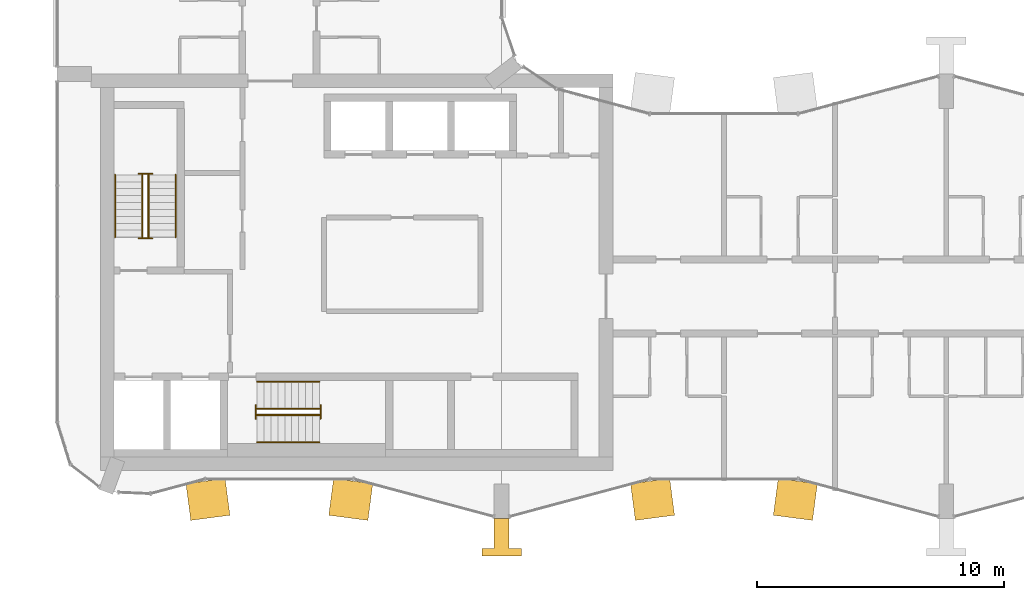
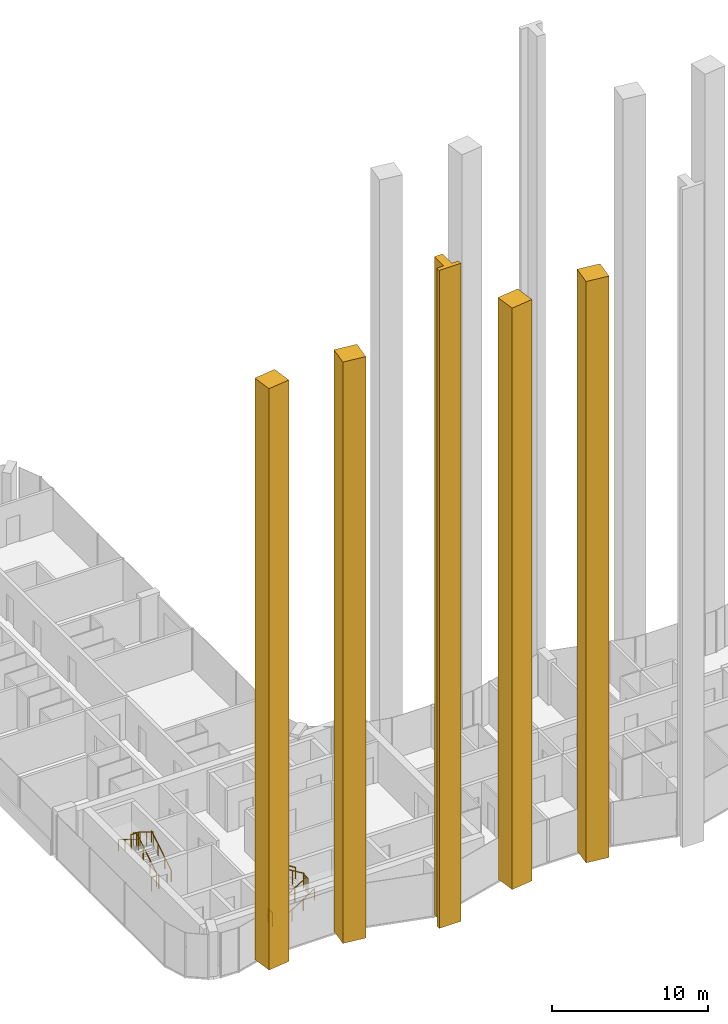
# One storey, part 14 of 17: 12 railings, 5 coverings.
"""IFC4 building model written with IfcOpenShell, lengths in metres."""

from ifc_helpers import new_model, si_unit, direction, frame, origin, origin_2d, place, context, subcontext, project, spatial, polyline, circle, outline, extrude, material, type_object, element, save


model = new_model("IFC4")

# Units and contexts
model_context = context("Model", 3, precision=1e-05, world=origin(), true_north=direction((0.0, 1.0)))
body_context = subcontext(model_context, "Body", "Model", "MODEL_VIEW")
ifc_project = project(units=[si_unit("LENGTHUNIT", "METRE"), si_unit("AREAUNIT", "SQUARE_METRE"), si_unit("VOLUMEUNIT", "CUBIC_METRE"), si_unit("PLANEANGLEUNIT", "RADIAN"), si_unit("MASSUNIT", "GRAM", prefix="KILO")], contexts=[model_context])

# Site, building, storey
site_placement = place(None, origin())
site = spatial("IfcSite", under=ifc_project, at=site_placement, CompositionType="ELEMENT")
building_placement = place(site_placement, origin())
building = spatial("IfcBuilding", under=site, at=building_placement, Name="Plateau Cross Towers", CompositionType="ELEMENT")
storey_placement = place(building_placement, frame((0.0, 0.0, 190.89990234375)))
storey = spatial("IfcBuildingStorey", under=building, at=storey_placement, Name="L49", CompositionType="ELEMENT", Elevation=190.89990234375)

# Coverings
ifc_material_1 = material(Name="Light precast concrete cladding C40/50", Category="concrete")
covering_type_1 = type_object("IfcCoveringType", Name="Flute pier cladding 1600x1500", PredefinedType="CLADDING", material=ifc_material_1)
covering_1_placement = place(storey_placement, origin())
element("IfcCovering", 1, at=covering_1_placement, inside=storey, type_object=covering_type_1, Name="Flute pier", PredefinedType="CLADDING", context=body_context, shape_type="SweptSolid", body=[
    extrude(outline(polyline([(5.2177734375, 1.419677734375), (6.80419921875, 1.62841796875), (6.999755859375, 0.14111328125), (5.41357421875, -0.067626953125), (5.2177734375, 1.419677734375)])), origin(), (0.0, 0.0, 1.0), 45.5),
])
covering_2_placement = place(storey_placement, origin())
element("IfcCovering", 2, at=covering_2_placement, inside=storey, type_object=covering_type_1, Name="Flute pier", PredefinedType="CLADDING", context=body_context, shape_type="SweptSolid", body=[
    extrude(outline(polyline([(11.19580078125, 1.62841796875), (12.7822265625, 1.419677734375), (12.58642578125, -0.067626953125), (11.000244140625, 0.14111328125), (11.19580078125, 1.62841796875)])), origin(), (0.0, 0.0, 1.0), 45.5),
])
covering_3_placement = place(storey_placement, origin())
element("IfcCovering", 3, at=covering_3_placement, inside=storey, type_object=covering_type_1, Name="Flute pier", PredefinedType="CLADDING", context=body_context, shape_type="SweptSolid", body=[
    extrude(outline(polyline([(23.2177734375, 1.419677734375), (24.80419921875, 1.62841796875), (24.999755859375, 0.14111328125), (23.41357421875, -0.067626953125), (23.2177734375, 1.419677734375)])), origin(), (0.0, 0.0, 1.0), 45.5),
])
covering_4_placement = place(storey_placement, origin())
element("IfcCovering", 4, at=covering_4_placement, inside=storey, type_object=covering_type_1, Name="Flute pier", PredefinedType="CLADDING", context=body_context, shape_type="SweptSolid", body=[
    extrude(outline(polyline([(29.19580078125, 1.62841796875), (30.7822265625, 1.419677734375), (30.58642578125, -0.067626953125), (29.000244140625, 0.14111328125), (29.19580078125, 1.62841796875)])), origin(), (0.0, 0.0, 1.0), 45.5),
])
covering_type_2 = type_object("IfcCoveringType", Name="Pier fin cladding 1600x1500", PredefinedType="CLADDING", material=ifc_material_1)
covering_5_placement = place(storey_placement, origin())
element("IfcCovering", 5, at=covering_5_placement, inside=storey, type_object=covering_type_2, Name="Pier fin PR1", PredefinedType="CLADDING", context=body_context, shape_type="SweptSolid", body=[
    extrude(outline(polyline([(17.699951171875, 0.0), (18.300048828125, 0.0), (18.300048828125, -1.199951171875), (18.800048828125, -1.199951171875), (18.800048828125, -1.5), (17.199951171875, -1.5), (17.199951171875, -1.199951171875), (17.699951171875, -1.199951171875), (17.699951171875, 0.0)])), origin(), (0.0, 0.0, 1.0), 51.5),
])

# Railings
ifc_material_2 = material(Name="Stainless steel and toughened glass", Category="steel")
railing_type_1 = type_object("IfcRailingType", Name="RL-GUARD-1100", PredefinedType="GUARDRAIL", material=ifc_material_2)
railing_1_placement = place(storey_placement, frame((3.699951171875, 11.39990234375, 0.175048828125)))
element("IfcRailing", 6, at=railing_1_placement, inside=storey, type_object=railing_type_1, Name="L49 ST-1 stair guard 1", PredefinedType="GUARDRAIL", context=body_context, shape_type="SweptSolid", body=[
    extrude(circle(Radius=0.02392578125, at=origin_2d()), frame((0.0, 0.0, 1.076171875), z_axis=(0.0, 0.848007534815, 0.529984170421), x_axis=(-1.0, 0.0, 0.0)), (0.0, 0.0, 1.0), 2.9716796875),
    extrude(circle(Radius=0.02099609375, at=origin_2d()), origin(), (0.0, 0.0, 1.0), 1.052001953125),
    extrude(circle(Radius=0.02099609375, at=origin_2d()), frame((0.0, 0.840087890625, 0.52490234375)), (0.0, 0.0, 1.0), 1.052001953125),
    extrude(circle(Radius=0.02099609375, at=origin_2d()), frame((0.0, 1.679931640625, 1.050048828125)), (0.0, 0.0, 1.0), 1.052001953125),
    extrude(circle(Radius=0.02099609375, at=origin_2d()), frame((0.0, 2.52001953125, 1.574951171875)), (0.0, 0.0, 1.0), 1.052001953125),
])
railing_2_placement = place(storey_placement, frame((3.85009765625, 13.969970703125, 1.75)))
element("IfcRailing", 7, at=railing_2_placement, inside=storey, type_object=railing_type_1, Name="L49 ST-1 stair guard 2", PredefinedType="GUARDRAIL", context=body_context, shape_type="SweptSolid", body=[
    extrude(circle(Radius=0.02392578125, at=origin_2d()), frame((0.0, 0.0, 1.076171875), z_axis=(-1.0, 0.0, 0.0), x_axis=(0.0, -1.0, 0.0)), (0.0, 0.0, 1.0), 0.550048828125),
    extrude(circle(Radius=0.02099609375, at=origin_2d()), origin(), (0.0, 0.0, 1.0), 1.052001953125),
    extrude(circle(Radius=0.02099609375, at=origin_2d()), frame((-0.550048828125, 0.0, 0.0)), (0.0, 0.0, 1.0), 1.052001953125),
])
railing_3_placement = place(storey_placement, frame((3.449951171875, 13.919921875, 1.925048828125)))
element("IfcRailing", 8, at=railing_3_placement, inside=storey, type_object=railing_type_1, Name="L49 ST-1 stair guard 3", PredefinedType="GUARDRAIL", context=body_context, shape_type="SweptSolid", body=[
    extrude(circle(Radius=0.02392578125, at=origin_2d()), frame((0.0, 0.0, 1.076171875), z_axis=(0.0, -0.852616386126, 0.522537365276), x_axis=(1.0, 0.0, 0.0)), (0.0, 0.0, 1.0), 3.01416015625),
    extrude(circle(Radius=0.02099609375, at=origin_2d()), origin(), (0.0, 0.0, 1.0), 1.052001953125),
    extrude(circle(Radius=0.02099609375, at=origin_2d()), frame((0.0, -0.856689453125, 0.52490234375)), (0.0, 0.0, 1.0), 1.052001953125),
    extrude(circle(Radius=0.02099609375, at=origin_2d()), frame((0.0, -1.713134765625, 1.050048828125)), (0.0, 0.0, 1.0), 1.052001953125),
    extrude(circle(Radius=0.02099609375, at=origin_2d()), frame((0.0, -2.56982421875, 1.574951171875)), (0.0, 0.0, 1.0), 1.052001953125),
])
railing_4_placement = place(storey_placement, frame((3.85009765625, 11.35009765625, 0.0)))
element("IfcRailing", 9, at=railing_4_placement, inside=storey, type_object=railing_type_1, Name="L49 ST-1 stair guard 4", PredefinedType="GUARDRAIL", context=body_context, shape_type="SweptSolid", body=[
    extrude(circle(Radius=0.02392578125, at=origin_2d()), frame((0.0, 0.0, 1.076171875), z_axis=(-1.0, 0.0, 0.0), x_axis=(0.0, -1.0, 0.0)), (0.0, 0.0, 1.0), 0.550048828125),
    extrude(circle(Radius=0.02099609375, at=origin_2d()), origin(), (0.0, 0.0, 1.0), 1.052001953125),
    extrude(circle(Radius=0.02099609375, at=origin_2d()), frame((-0.550048828125, 0.0, 0.0)), (0.0, 0.0, 1.0), 1.052001953125),
])
railing_5_placement = place(storey_placement, frame((8.10009765625, 4.199951171875, 0.175048828125)))
element("IfcRailing", 10, at=railing_5_placement, inside=storey, type_object=railing_type_1, Name="L49 ST-2 stair guard 1", PredefinedType="GUARDRAIL", context=body_context, shape_type="SweptSolid", body=[
    extrude(circle(Radius=0.02392578125, at=origin_2d()), frame((0.0, 0.0, 1.076171875), z_axis=(0.848007534815, 0.0, 0.529984170421), x_axis=(0.0, 1.0, 0.0)), (0.0, 0.0, 1.0), 2.9716796875),
    extrude(circle(Radius=0.02099609375, at=origin_2d()), origin(), (0.0, 0.0, 1.0), 1.052001953125),
    extrude(circle(Radius=0.02099609375, at=origin_2d()), frame((0.840087890625, 0.0, 0.52490234375)), (0.0, 0.0, 1.0), 1.052001953125),
    extrude(circle(Radius=0.02099609375, at=origin_2d()), frame((1.679931640625, 0.0, 1.050048828125)), (0.0, 0.0, 1.0), 1.052001953125),
    extrude(circle(Radius=0.02099609375, at=origin_2d()), frame((2.52001953125, 0.0, 1.574951171875)), (0.0, 0.0, 1.0), 1.052001953125),
])
railing_6_placement = place(storey_placement, frame((10.669921875, 4.050048828125, 1.75)))
element("IfcRailing", 11, at=railing_6_placement, inside=storey, type_object=railing_type_1, Name="L49 ST-2 stair guard 2", PredefinedType="GUARDRAIL", context=body_context, shape_type="SweptSolid", body=[
    extrude(circle(Radius=0.02392578125, at=origin_2d()), frame((0.0, 0.0, 1.076171875), z_axis=(0.0, 1.0, 0.0), x_axis=(-1.0, 0.0, 0.0)), (0.0, 0.0, 1.0), 0.550048828125),
    extrude(circle(Radius=0.02099609375, at=origin_2d()), origin(), (0.0, 0.0, 1.0), 1.052001953125),
    extrude(circle(Radius=0.02099609375, at=origin_2d()), frame((0.0, 0.550048828125, 0.0)), (0.0, 0.0, 1.0), 1.052001953125),
])
railing_7_placement = place(storey_placement, frame((10.6201171875, 4.449951171875, 1.925048828125)))
element("IfcRailing", 12, at=railing_7_placement, inside=storey, type_object=railing_type_1, Name="L49 ST-2 stair guard 3", PredefinedType="GUARDRAIL", context=body_context, shape_type="SweptSolid", body=[
    extrude(circle(Radius=0.02392578125, at=origin_2d()), frame((0.0, 0.0, 1.076171875), z_axis=(-0.852638500773, 0.0, 0.522501279423), x_axis=(0.0, -1.0, 0.0)), (0.0, 0.0, 1.0), 3.01416015625),
    extrude(circle(Radius=0.02099609375, at=origin_2d()), origin(), (0.0, 0.0, 1.0), 1.052001953125),
    extrude(circle(Radius=0.02099609375, at=origin_2d()), frame((-0.856689453125, 0.0, 0.52490234375)), (0.0, 0.0, 1.0), 1.052001953125),
    extrude(circle(Radius=0.02099609375, at=origin_2d()), frame((-1.71337890625, 0.0, 1.050048828125)), (0.0, 0.0, 1.0), 1.052001953125),
    extrude(circle(Radius=0.02099609375, at=origin_2d()), frame((-2.570068359375, 0.0, 1.574951171875)), (0.0, 0.0, 1.0), 1.052001953125),
])
railing_8_placement = place(storey_placement, frame((8.050048828125, 4.050048828125, 0.0)))
element("IfcRailing", 13, at=railing_8_placement, inside=storey, type_object=railing_type_1, Name="L49 ST-2 stair guard 4", PredefinedType="GUARDRAIL", context=body_context, shape_type="SweptSolid", body=[
    extrude(circle(Radius=0.02392578125, at=origin_2d()), frame((0.0, 0.0, 1.076171875), z_axis=(0.0, 1.0, 0.0), x_axis=(-1.0, 0.0, 0.0)), (0.0, 0.0, 1.0), 0.550048828125),
    extrude(circle(Radius=0.02099609375, at=origin_2d()), origin(), (0.0, 0.0, 1.0), 1.052001953125),
    extrude(circle(Radius=0.02099609375, at=origin_2d()), frame((0.0, 0.550048828125, 0.0)), (0.0, 0.0, 1.0), 1.052001953125),
])
ifc_material_3 = material(Name="Black anodised aluminium", Category="aluminium")
railing_type_2 = type_object("IfcRailingType", Name="RL-HANDRAIL-900", PredefinedType="HANDRAIL", material=ifc_material_3)
railing_9_placement = place(storey_placement, frame((4.800048828125, 11.39990234375, 0.175048828125)))
element("IfcRailing", 14, at=railing_9_placement, inside=storey, type_object=railing_type_2, Name="L49 ST-1 stair handrail 1", PredefinedType="HANDRAIL", context=body_context, shape_type="SweptSolid", body=[
    extrude(circle(Radius=0.02392578125, at=origin_2d()), frame((0.0, 0.0, 0.8759765625), z_axis=(0.0, 0.848007534815, 0.529984170421), x_axis=(-1.0, 0.0, 0.0)), (0.0, 0.0, 1.0), 2.9716796875),
    extrude(circle(Radius=0.02099609375, at=origin_2d()), origin(), (0.0, 0.0, 1.0), 0.851806640625),
    extrude(circle(Radius=0.02099609375, at=origin_2d()), frame((0.0, 0.840087890625, 0.52490234375)), (0.0, 0.0, 1.0), 0.851806640625),
    extrude(circle(Radius=0.02099609375, at=origin_2d()), frame((0.0, 1.679931640625, 1.050048828125)), (0.0, 0.0, 1.0), 0.851806640625),
    extrude(circle(Radius=0.02099609375, at=origin_2d()), frame((0.0, 2.52001953125, 1.574951171875)), (0.0, 0.0, 1.0), 0.851806640625),
])
railing_10_placement = place(storey_placement, frame((2.35009765625, 13.919921875, 1.925048828125)))
element("IfcRailing", 15, at=railing_10_placement, inside=storey, type_object=railing_type_2, Name="L49 ST-1 stair handrail 2", PredefinedType="HANDRAIL", context=body_context, shape_type="SweptSolid", body=[
    extrude(circle(Radius=0.02392578125, at=origin_2d()), frame((0.0, 0.0, 0.8759765625), z_axis=(0.0, -0.848007534815, 0.529984170421), x_axis=(1.0, 0.0, 0.0)), (0.0, 0.0, 1.0), 2.9716796875),
    extrude(circle(Radius=0.02099609375, at=origin_2d()), origin(), (0.0, 0.0, 1.0), 0.851806640625),
    extrude(circle(Radius=0.02099609375, at=origin_2d()), frame((0.0, -0.840087890625, 0.52490234375)), (0.0, 0.0, 1.0), 0.851806640625),
    extrude(circle(Radius=0.02099609375, at=origin_2d()), frame((0.0, -1.679931640625, 1.050048828125)), (0.0, 0.0, 1.0), 0.851806640625),
    extrude(circle(Radius=0.02099609375, at=origin_2d()), frame((0.0, -2.52001953125, 1.574951171875)), (0.0, 0.0, 1.0), 0.851806640625),
])
railing_11_placement = place(storey_placement, frame((8.10009765625, 3.10009765625, 0.175048828125)))
element("IfcRailing", 16, at=railing_11_placement, inside=storey, type_object=railing_type_2, Name="L49 ST-2 stair handrail 1", PredefinedType="HANDRAIL", context=body_context, shape_type="SweptSolid", body=[
    extrude(circle(Radius=0.02392578125, at=origin_2d()), frame((0.0, 0.0, 0.8759765625), z_axis=(0.848007534815, 0.0, 0.529984170421), x_axis=(0.0, 1.0, 0.0)), (0.0, 0.0, 1.0), 2.9716796875),
    extrude(circle(Radius=0.02099609375, at=origin_2d()), origin(), (0.0, 0.0, 1.0), 0.851806640625),
    extrude(circle(Radius=0.02099609375, at=origin_2d()), frame((0.840087890625, 0.0, 0.52490234375)), (0.0, 0.0, 1.0), 0.851806640625),
    extrude(circle(Radius=0.02099609375, at=origin_2d()), frame((1.679931640625, 0.0, 1.050048828125)), (0.0, 0.0, 1.0), 0.851806640625),
    extrude(circle(Radius=0.02099609375, at=origin_2d()), frame((2.52001953125, 0.0, 1.574951171875)), (0.0, 0.0, 1.0), 0.851806640625),
])
railing_12_placement = place(storey_placement, frame((10.6201171875, 5.550048828125, 1.925048828125)))
element("IfcRailing", 17, at=railing_12_placement, inside=storey, type_object=railing_type_2, Name="L49 ST-2 stair handrail 2", PredefinedType="HANDRAIL", context=body_context, shape_type="SweptSolid", body=[
    extrude(circle(Radius=0.02392578125, at=origin_2d()), frame((0.0, 0.0, 0.8759765625), z_axis=(-0.848007534815, 0.0, 0.529984170421), x_axis=(0.0, -1.0, 0.0)), (0.0, 0.0, 1.0), 2.9716796875),
    extrude(circle(Radius=0.02099609375, at=origin_2d()), origin(), (0.0, 0.0, 1.0), 0.851806640625),
    extrude(circle(Radius=0.02099609375, at=origin_2d()), frame((-0.840087890625, 0.0, 0.52490234375)), (0.0, 0.0, 1.0), 0.851806640625),
    extrude(circle(Radius=0.02099609375, at=origin_2d()), frame((-1.679931640625, 0.0, 1.050048828125)), (0.0, 0.0, 1.0), 0.851806640625),
    extrude(circle(Radius=0.02099609375, at=origin_2d()), frame((-2.52001953125, 0.0, 1.574951171875)), (0.0, 0.0, 1.0), 0.851806640625),
])

save(model, "model.ifc")
